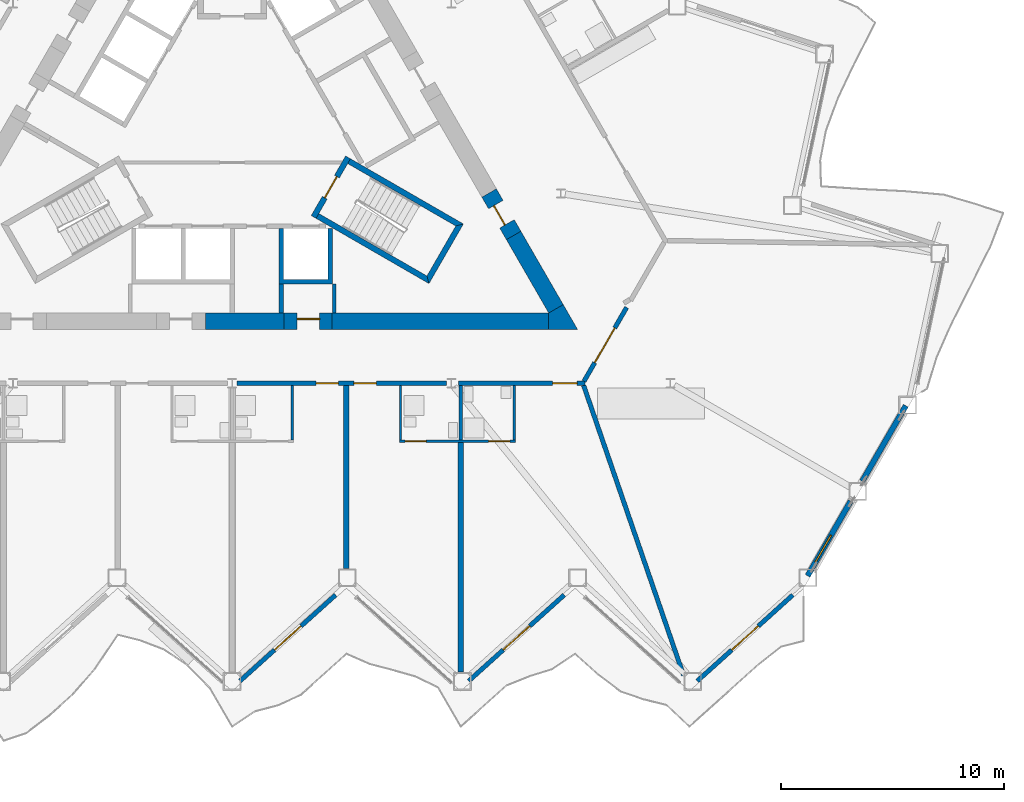
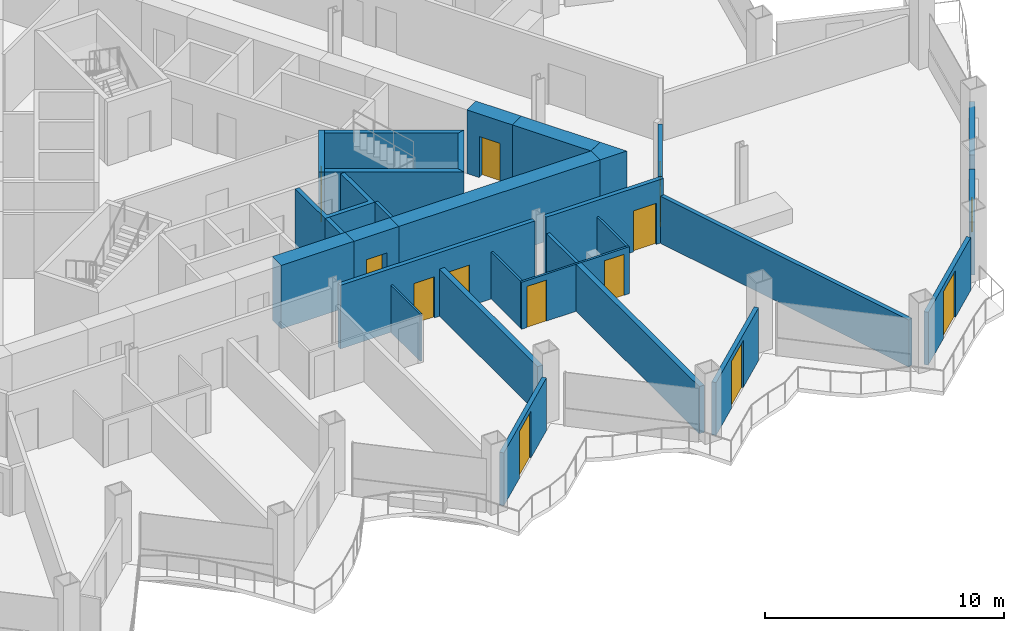
# One storey, part 12 of 23: 29 walls, 12 doors, 1 window, 13 openings.
"""IFC4 building model written with IfcOpenShell, lengths in metres."""

from ifc_helpers import new_model, si_unit, direction, frame, frame_2d, origin, place, context, subcontext, project, spatial, polyline, rectangle, outline, extrude, material, layer, layer_set, type_object, element, fill, save


model = new_model("IFC4")

# Units and contexts
model_context = context("Model", 3, precision=1e-05, world=origin(), true_north=direction((0.0, 1.0)))
body_context = subcontext(model_context, "Body", "Model", "MODEL_VIEW")
ifc_project = project(units=[si_unit("LENGTHUNIT", "METRE"), si_unit("AREAUNIT", "SQUARE_METRE"), si_unit("VOLUMEUNIT", "CUBIC_METRE"), si_unit("PLANEANGLEUNIT", "RADIAN"), si_unit("MASSUNIT", "GRAM", prefix="KILO")], contexts=[model_context])

# Site, building, storey
site_placement = place(None, origin())
site = spatial("IfcSite", under=ifc_project, at=site_placement, CompositionType="ELEMENT")
building_placement = place(site_placement, origin())
building = spatial("IfcBuilding", under=site, at=building_placement, Name="Cormorant Prow Tower", CompositionType="ELEMENT")
storey_placement = place(building_placement, frame((0.0, 0.0, 183.60009765625)))
storey = spatial("IfcBuildingStorey", under=building, at=storey_placement, Name="L39", CompositionType="ELEMENT", Elevation=183.60009765625)

# Walls
ifc_material_1 = material(Name="Gypsum board partition")
ifc_layer_1 = layer(ifc_material_1, 0.14990234375)
ifc_layer_set_1 = layer_set([ifc_layer_1], Name="Gypsum board partition")
wall_type_1 = type_object("IfcWallType", Name="Core partition 150", PredefinedType="PARTITIONING", material=ifc_layer_set_1)
wall_1_placement = place(storey_placement, frame((4.574951171875, -6.906005859375, 0.0), z_axis=(0.0, 0.0, 1.0), x_axis=(0.0, -1.0, 0.0)))
element("IfcWall", 1, at=wall_1_placement, inside=storey, type_object=wall_type_1, Name="Service room partition", PredefinedType="PARTITIONING", context=body_context, shape_type="SweptSolid", body=[
    extrude(rectangle(XDim=1.29296875, YDim=0.14990234375, at=frame_2d((0.646484375, 0.0))), origin(), (0.0, 0.0, 1.0), 3.25),
])
ifc_material_2 = material(Name="Concrete 8000 psi", Category="concrete")
ifc_layer_2 = layer(ifc_material_2, 0.75)
ifc_layer_set_2 = layer_set([ifc_layer_2], Name="Concrete 8000 psi")
wall_type_2 = type_object("IfcWallType", Name="Core shear wall 750", PredefinedType="SHEAR", material=ifc_layer_set_2)
wall_2_placement = place(storey_placement, frame((4.47998046875, -8.573974609375, 0.0), z_axis=(0.0, 0.0, 1.0), x_axis=(1.0, 0.0, 0.0)))
element("IfcWall", 2, at=wall_2_placement, inside=storey, type_object=wall_type_2, Name="Core wall", PredefinedType="SHEAR", context=body_context, shape_type="SweptSolid", body=[
    extrude(rectangle(XDim=9.720947265625, YDim=0.75, at=frame_2d((4.8603515625, 0.0))), origin(), (0.0, 0.0, 1.0), 3.25),
])
wall_3_placement = place(storey_placement, frame((-1.199951171875, -8.573974609375, 0.0), z_axis=(0.0, 0.0, 1.0), x_axis=(1.0, 0.0, 0.0)))
element("IfcWall", 3, at=wall_3_placement, inside=storey, type_object=wall_type_2, Name="Core wall", PredefinedType="SHEAR", context=body_context, shape_type="SweptSolid", body=[
    extrude(rectangle(XDim=3.52001953125, YDim=0.75, at=frame_2d((1.760009765625, 0.0))), origin(), (0.0, 0.0, 1.0), 3.25),
])
wall_4_placement = place(storey_placement, frame((14.525634765625, -8.011474609375, 0.0), z_axis=(0.0, 0.0, 1.0), x_axis=(-0.499996970966, 0.866027152591, 0.0)))
element("IfcWall", 4, at=wall_4_placement, inside=storey, type_object=wall_type_2, Name="Core wall", PredefinedType="SHEAR", context=body_context, shape_type="SweptSolid", body=[
    extrude(rectangle(XDim=3.7978515625, YDim=0.75, at=frame_2d((1.89892578125, 0.0))), origin(), (0.0, 0.0, 1.0), 3.25),
])
wall_5_placement = place(storey_placement, origin())
element("IfcWall", 5, at=wall_5_placement, inside=storey, type_object=wall_type_2, Name="Core wall corner", PredefinedType="SHEAR", context=body_context, shape_type="SweptSolid", body=[
    extrude(outline(polyline([(14.200927734375, -8.948974609375), (14.200927734375, -8.198974609375), (14.8505859375, -7.823974609375), (15.5, -8.948974609375), (14.200927734375, -8.948974609375)])), origin(), (0.0, 0.0, 1.0), 3.25),
])

# Wall, opening, door
wall_6_placement = place(storey_placement, frame((2.320068359375, -8.573974609375, 0.0), z_axis=(0.0, 0.0, 1.0), x_axis=(1.0, 0.0, 0.0)))
wall_6 = element("IfcWall", 6, at=wall_6_placement, inside=storey, type_object=wall_type_2, Name="Core wall door panel", PredefinedType="SHEAR", context=body_context, shape_type="SweptSolid", body=[
    extrude(rectangle(XDim=2.159912109375, YDim=0.75, at=frame_2d((1.080078125, 0.0))), origin(), (0.0, 0.0, 1.0), 3.25),
])
opening_1_placement = place(wall_6_placement, frame((0.60009765625, 0.0, 0.0)))
opening_1 = element("IfcOpeningElement", 7, at=opening_1_placement, cuts=wall_6, Name="Opening L39-C15", PredefinedType="OPENING", context=body_context, shape_type="SweptSolid", body=[
    extrude(rectangle(XDim=1.0, YDim=2.10009765625, at=frame_2d((0.5, 1.050048828125))), frame((0.0, 0.385009765625, 0.0), z_axis=(0.0, -1.0, 0.0), x_axis=(1.0, 0.0, 0.0)), (0.0, 0.0, 1.0), 0.77001953125),
])
ifc_material_3 = material(Name="Painted steel", Category="steel")
door_type_1 = type_object("IfcDoorType", Name="Service door 1000x2100", OperationType="NOTDEFINED", PredefinedType="DOOR", material=ifc_material_3)
door_1_placement = place(opening_1_placement, origin())
door_1 = element("IfcDoor", 8, at=door_1_placement, inside=storey, type_object=door_type_1, Name="Core door, Electrical room", OperationType="SINGLE_SWING_RIGHT", OverallHeight=2.10009765625, OverallWidth=1.0, PredefinedType="DOOR", context=body_context, shape_type="SweptSolid", body=[
    extrude(rectangle(XDim=1.0, YDim=2.10009765625, at=frame_2d((0.5, 1.050048828125))), frame((0.0, 0.1298828125, 0.0), z_axis=(0.0, -1.0, 0.0), x_axis=(1.0, 0.0, 0.0)), (0.0, 0.0, 1.0), 0.050048828125),
])
fill(opening_1, door_1)

wall_7_placement = place(storey_placement, frame((12.626708984375, -4.722412109375, 0.0), z_axis=(0.0, 0.0, 1.0), x_axis=(-0.499946605688, 0.86605622881, 0.0)))
wall_7 = element("IfcWall", 9, at=wall_7_placement, inside=storey, type_object=wall_type_2, Name="Core wall door panel", PredefinedType="SHEAR", context=body_context, shape_type="SweptSolid", body=[
    extrude(rectangle(XDim=2.199951171875, YDim=0.75, at=frame_2d((1.10009765625, 0.0))), origin(), (0.0, 0.0, 1.0), 3.25),
])
opening_2_placement = place(wall_7_placement, frame((0.60009765625, 0.0, 0.0)))
opening_2 = element("IfcOpeningElement", 10, at=opening_2_placement, cuts=wall_7, Name="Opening L39-C17", PredefinedType="OPENING", context=body_context, shape_type="SweptSolid", body=[
    extrude(rectangle(XDim=1.0, YDim=2.10009765625, at=frame_2d((0.5, 1.050048828125))), frame((0.0, 0.385009765625, 0.0), z_axis=(0.0, -1.0, 0.0), x_axis=(1.0, 0.0, 0.0)), (0.0, 0.0, 1.0), 0.77001953125),
])
door_2_placement = place(opening_2_placement, origin())
door_2 = element("IfcDoor", 11, at=door_2_placement, inside=storey, type_object=door_type_1, Name="Core door, Refuse store", OperationType="SINGLE_SWING_RIGHT", OverallHeight=2.10009765625, OverallWidth=1.0, PredefinedType="DOOR", context=body_context, shape_type="SweptSolid", body=[
    extrude(rectangle(XDim=1.0, YDim=2.10009765625, at=frame_2d((0.5, 1.050048828125))), frame((0.0, 0.1298828125, 0.0), z_axis=(0.0, -1.0, 0.0), x_axis=(1.0, 0.0, 0.0)), (0.0, 0.0, 1.0), 0.050048828125),
])
fill(opening_2, door_2)

# Wall, openings, doors
ifc_material_4 = material(Name="Gypsum board corridor wall")
ifc_layer_3 = layer(ifc_material_4, 0.199951171875)
ifc_layer_set_3 = layer_set([ifc_layer_3], Name="Gypsum board corridor wall")
wall_type_3 = type_object("IfcWallType", Name="Corridor wall 200", PredefinedType="PARTITIONING", material=ifc_layer_set_3)
wall_8_placement = place(storey_placement, frame((0.213623046875, -11.348876953125, 0.0), z_axis=(0.0, 0.0, 1.0), x_axis=(1.0, 0.0, 0.0)))
wall_8 = element("IfcWall", 12, at=wall_8_placement, inside=storey, type_object=wall_type_3, Name="Corridor wall", PredefinedType="PARTITIONING", context=body_context, shape_type="SweptSolid", body=[
    extrude(rectangle(XDim=9.401123046875, YDim=0.199951171875, at=frame_2d((4.70068359375, 0.0))), origin(), (0.0, 0.0, 1.0), 3.25),
])
opening_3_placement = place(wall_8_placement, frame((3.550537109375, 0.0, 0.0)))
opening_3 = element("IfcOpeningElement", 13, at=opening_3_placement, cuts=wall_8, Name="Opening L39-F07", PredefinedType="OPENING", context=body_context, shape_type="SweptSolid", body=[
    extrude(rectangle(XDim=1.0, YDim=2.10009765625, at=frame_2d((0.5, 1.050048828125))), frame((0.0, 0.10986328125, 0.0), z_axis=(0.0, -1.0, 0.0), x_axis=(1.0, 0.0, 0.0)), (0.0, 0.0, 1.0), 0.219970703125),
])
opening_4_placement = place(wall_8_placement, frame((5.250732421875, 0.0, 0.0)))
opening_4 = element("IfcOpeningElement", 14, at=opening_4_placement, cuts=wall_8, Name="Opening L39-F09", PredefinedType="OPENING", context=body_context, shape_type="SweptSolid", body=[
    extrude(rectangle(XDim=1.0, YDim=2.10009765625, at=frame_2d((0.5, 1.050048828125))), frame((0.0, 0.10986328125, 0.0), z_axis=(0.0, -1.0, 0.0), x_axis=(1.0, 0.0, 0.0)), (0.0, 0.0, 1.0), 0.219970703125),
])
ifc_material_5 = material(Name="Timber door leaf", Category="wood")
door_type_2 = type_object("IfcDoorType", Name="Flat or room entrance door 1000x2100", OperationType="NOTDEFINED", PredefinedType="DOOR", material=ifc_material_5)
door_3_placement = place(opening_3_placement, origin())
door_3 = element("IfcDoor", 15, at=door_3_placement, inside=storey, type_object=door_type_2, Name="Guest room door", OperationType="SINGLE_SWING_RIGHT", OverallHeight=2.10009765625, OverallWidth=1.0, PredefinedType="DOOR", context=body_context, shape_type="SweptSolid", body=[
    extrude(rectangle(XDim=1.0, YDim=2.10009765625, at=frame_2d((0.5, 1.050048828125))), frame((0.0, 0.02490234375, 0.0), z_axis=(0.0, -1.0, 0.0), x_axis=(1.0, 0.0, 0.0)), (0.0, 0.0, 1.0), 0.050048828125),
])
fill(opening_3, door_3)
door_4_placement = place(opening_4_placement, origin())
door_4 = element("IfcDoor", 16, at=door_4_placement, inside=storey, type_object=door_type_2, Name="Guest room door", OperationType="SINGLE_SWING_LEFT", OverallHeight=2.10009765625, OverallWidth=1.0, PredefinedType="DOOR", context=body_context, shape_type="SweptSolid", body=[
    extrude(rectangle(XDim=1.0, YDim=2.10009765625, at=frame_2d((0.5, 1.050048828125))), frame((0.0, 0.02490234375, 0.0), z_axis=(0.0, -1.0, 0.0), x_axis=(1.0, 0.0, 0.0)), (0.0, 0.0, 1.0), 0.050048828125),
])
fill(opening_4, door_4)

# Wall, opening, door
wall_9_placement = place(storey_placement, frame((10.144287109375, -11.348876953125, 0.0), z_axis=(0.0, 0.0, 1.0), x_axis=(1.0, 0.0, 0.0)))
wall_9 = element("IfcWall", 17, at=wall_9_placement, inside=storey, type_object=wall_type_3, Name="Corridor wall", PredefinedType="PARTITIONING", context=body_context, shape_type="SweptSolid", body=[
    extrude(rectangle(XDim=5.6865234375, YDim=0.199951171875, at=frame_2d((2.84326171875, 0.0))), origin(), (0.0, 0.0, 1.0), 3.25),
])
opening_5_placement = place(wall_9_placement, frame((4.234619140625, 0.0, 0.0)))
opening_5 = element("IfcOpeningElement", 18, at=opening_5_placement, cuts=wall_9, Name="Opening L39-F11", PredefinedType="OPENING", context=body_context, shape_type="SweptSolid", body=[
    extrude(rectangle(XDim=1.10009765625, YDim=2.10009765625, at=frame_2d((0.550048828125, 1.050048828125))), frame((0.0, 0.10986328125, 0.0), z_axis=(0.0, -1.0, 0.0), x_axis=(1.0, 0.0, 0.0)), (0.0, 0.0, 1.0), 0.219970703125),
])
ifc_material_6 = material(Name="Timber door leaf", Category="wood")
door_type_3 = type_object("IfcDoorType", Name="Suite entrance door 1100x2100", OperationType="NOTDEFINED", PredefinedType="DOOR", material=ifc_material_6)
door_5_placement = place(opening_5_placement, origin())
door_5 = element("IfcDoor", 19, at=door_5_placement, inside=storey, type_object=door_type_3, Name="Junior suite door", OperationType="SINGLE_SWING_RIGHT", OverallHeight=2.10009765625, OverallWidth=1.10009765625, PredefinedType="DOOR", context=body_context, shape_type="SweptSolid", body=[
    extrude(rectangle(XDim=1.10009765625, YDim=2.10009765625, at=frame_2d((0.550048828125, 1.050048828125))), frame((0.0, 0.02490234375, 0.0), z_axis=(0.0, -1.0, 0.0), x_axis=(1.0, 0.0, 0.0)), (0.0, 0.0, 1.0), 0.050048828125),
])
fill(opening_5, door_5)

wall_10_placement = place(storey_placement, frame((15.781005859375, -11.26220703125, 0.0), z_axis=(0.0, 0.0, 1.0), x_axis=(0.499989446428, 0.866031496806, 0.0)))
wall_10 = element("IfcWall", 20, at=wall_10_placement, inside=storey, type_object=wall_type_3, Name="Corridor wall", PredefinedType="PARTITIONING", context=body_context, shape_type="SweptSolid", body=[
    extrude(rectangle(XDim=3.82568359375, YDim=0.199951171875, at=frame_2d((1.912841796875, 0.0))), origin(), (0.0, 0.0, 1.0), 3.25),
])
opening_6_placement = place(wall_10_placement, frame((0.962158203125, 0.0, 0.0)))
opening_6 = element("IfcOpeningElement", 21, at=opening_6_placement, cuts=wall_10, Name="Opening L39-F13", PredefinedType="OPENING", context=body_context, shape_type="SweptSolid", body=[
    extrude(rectangle(XDim=1.800048828125, YDim=2.10009765625, at=frame_2d((0.89990234375, 1.050048828125))), frame((0.0, 0.10986328125, 0.0), z_axis=(0.0, -1.0, 0.0), x_axis=(1.0, 0.0, 0.0)), (0.0, 0.0, 1.0), 0.219970703125),
])
ifc_material_7 = material(Name="Timber door leaf", Category="wood")
door_type_4 = type_object("IfcDoorType", Name="Double door 1800x2100", OperationType="DOUBLE_DOOR_SINGLE_SWING", PredefinedType="DOOR", material=ifc_material_7)
door_6_placement = place(opening_6_placement, origin())
door_6 = element("IfcDoor", 22, at=door_6_placement, inside=storey, type_object=door_type_4, Name="Co-working space door", OperationType="DOUBLE_DOOR_SINGLE_SWING", OverallHeight=2.10009765625, OverallWidth=1.800048828125, PredefinedType="DOOR", context=body_context, shape_type="SweptSolid", body=[
    extrude(rectangle(XDim=1.800048828125, YDim=2.10009765625, at=frame_2d((0.89990234375, 1.050048828125))), frame((0.0, 0.02490234375, 0.0), z_axis=(0.0, -1.0, 0.0), x_axis=(1.0, 0.0, 0.0)), (0.0, 0.0, 1.0), 0.050048828125),
])
fill(opening_6, door_6)

# Wall
ifc_material_8 = material(Name="Gypsum board demising wall")
ifc_layer_4 = layer(ifc_material_8, 0.199951171875)
ifc_layer_set_4 = layer_set([ifc_layer_4], Name="Gypsum board demising wall")
wall_type_4 = type_object("IfcWallType", Name="Demising wall 200", PredefinedType="PARTITIONING", material=ifc_layer_set_4)
wall_11_placement = place(storey_placement, frame((15.763427734375, -11.443603515625, 0.0), z_axis=(0.0, 0.0, 1.0), x_axis=(0.325902118519, -0.945403516571, 0.0)))
element("IfcWall", 23, at=wall_11_placement, inside=storey, type_object=wall_type_4, Name="Demising wall", PredefinedType="PARTITIONING", context=body_context, shape_type="SweptSolid", body=[
    extrude(rectangle(XDim=13.762939453125, YDim=0.199951171875, at=frame_2d((6.88134765625, 0.0))), origin(), (0.0, 0.0, 1.0), 2.404052734375),
])

# Wall, openings, doors
ifc_material_9 = material(Name="Gypsum board partition")
ifc_layer_5 = layer(ifc_material_9, 0.10009765625)
ifc_layer_set_5 = layer_set([ifc_layer_5], Name="Gypsum board partition")
wall_type_5 = type_object("IfcWallType", Name="Internal partition 100", PredefinedType="PARTITIONING", material=ifc_layer_set_5)
wall_12_placement = place(storey_placement, frame((7.504150390625, -13.948974609375, 0.0), z_axis=(0.0, 0.0, 1.0), x_axis=(1.0, 0.0, 0.0)))
wall_12 = element("IfcWall", 24, at=wall_12_placement, inside=storey, type_object=wall_type_5, Name="Internal partition", PredefinedType="PARTITIONING", context=body_context, shape_type="SweptSolid", body=[
    extrude(rectangle(XDim=5.199951171875, YDim=0.10009765625, at=frame_2d((2.60009765625, 0.0))), origin(), (0.0, 0.0, 1.0), 2.404052734375),
])
opening_7_placement = place(wall_12_placement, frame((0.25, 0.0, 0.0)))
opening_7 = element("IfcOpeningElement", 25, at=opening_7_placement, cuts=wall_12, Name="Opening L39-F10", PredefinedType="OPENING", context=body_context, shape_type="SweptSolid", body=[
    extrude(rectangle(XDim=0.949951171875, YDim=2.10009765625, at=frame_2d((0.47509765625, 1.050048828125))), frame((0.0, 0.06005859375, 0.0), z_axis=(0.0, -1.0, 0.0), x_axis=(1.0, 0.0, 0.0)), (0.0, 0.0, 1.0), 0.1201171875),
])
opening_8_placement = place(wall_12_placement, frame((4.0, 0.0, 0.0)))
opening_8 = element("IfcOpeningElement", 26, at=opening_8_placement, cuts=wall_12, Name="Opening L39-F12", PredefinedType="OPENING", context=body_context, shape_type="SweptSolid", body=[
    extrude(rectangle(XDim=0.949951171875, YDim=2.10009765625, at=frame_2d((0.47509765625, 1.050048828125))), frame((0.0, 0.06005859375, 0.0), z_axis=(0.0, -1.0, 0.0), x_axis=(1.0, 0.0, 0.0)), (0.0, 0.0, 1.0), 0.1201171875),
])
ifc_material_10 = material(Name="Timber door leaf", Category="wood")
door_type_5 = type_object("IfcDoorType", Name="Bathroom door 950x2100", OperationType="NOTDEFINED", PredefinedType="DOOR", material=ifc_material_10)
door_7_placement = place(opening_7_placement, origin())
door_7 = element("IfcDoor", 27, at=door_7_placement, inside=storey, type_object=door_type_5, Name="Guest room door", OperationType="SINGLE_SWING_LEFT", OverallHeight=2.10009765625, OverallWidth=0.949951171875, PredefinedType="DOOR", context=body_context, shape_type="SweptSolid", body=[
    extrude(rectangle(XDim=0.949951171875, YDim=2.10009765625, at=frame_2d((0.47509765625, 1.050048828125))), frame((0.0, 0.02490234375, 0.0), z_axis=(0.0, -1.0, 0.0), x_axis=(1.0, 0.0, 0.0)), (0.0, 0.0, 1.0), 0.050048828125),
])
fill(opening_7, door_7)
door_8_placement = place(opening_8_placement, origin())
door_8 = element("IfcDoor", 28, at=door_8_placement, inside=storey, type_object=door_type_5, Name="Junior suite door", OperationType="SINGLE_SWING_RIGHT", OverallHeight=2.10009765625, OverallWidth=0.949951171875, PredefinedType="DOOR", context=body_context, shape_type="SweptSolid", body=[
    extrude(rectangle(XDim=0.949951171875, YDim=2.10009765625, at=frame_2d((0.47509765625, 1.050048828125))), frame((0.0, 0.02490234375, 0.0), z_axis=(0.0, -1.0, 0.0), x_axis=(1.0, 0.0, 0.0)), (0.0, 0.0, 1.0), 0.050048828125),
])
fill(opening_8, door_8)

# Walls
for number, where, z_axis, x_axis, name in (
    (29, (2.699951171875, -13.89892578125, 0.0), (0.0, 0.0, 1.0), (0.0, 1.0, 0.0), "Internal partition"),
    (30, (7.55419921875, -13.89892578125, 0.0), (0.0, 0.0, 1.0), (0.0, 1.0, 0.0), "Internal partition"),
    (31, (12.654296875, -13.89892578125, 0.0), (0.0, 0.0, 1.0), (0.0, 1.0, 0.0), "Internal partition"),
):
    element("IfcWall", number, at=place(storey_placement, frame(where, z_axis=z_axis, x_axis=x_axis)), inside=storey, type_object=wall_type_5, Name=name, PredefinedType="PARTITIONING", context=body_context, shape_type="SweptSolid", body=[
        extrude(rectangle(XDim=2.449951171875, YDim=0.10009765625, at=frame_2d((1.22509765625, 0.0))), origin(), (0.0, 0.0, 1.0), 2.404052734375),
    ])
ifc_material_11 = material(Name="Concrete 8000 psi", Category="concrete")
ifc_layer_6 = layer(ifc_material_11, 0.199951171875)
ifc_layer_set_6 = layer_set([ifc_layer_6], Name="Concrete 8000 psi")
wall_type_6 = type_object("IfcWallType", Name="Lift shaft wall 200", PredefinedType="SHEAR", material=ifc_layer_set_6)
wall_13_placement = place(storey_placement, origin())
element("IfcWall", 32, at=wall_13_placement, inside=storey, type_object=wall_type_6, Name="Lift shaft walls, S block", PredefinedType="SHEAR", context=body_context, shape_type="SweptSolid", body=[
    extrude(outline(polyline([(4.5, -4.39990234375), (4.5, -6.906005859375), (2.10009765625, -6.906005859375), (2.10009765625, -4.39990234375), (2.300048828125, -4.39990234375), (2.300048828125, -6.699951171875), (4.300048828125, -6.699951171875), (4.300048828125, -4.39990234375), (4.5, -4.39990234375)])), origin(), (0.0, 0.0, 1.0), 3.25),
])
wall_14_placement = place(storey_placement, frame((2.199951171875, -6.906005859375, 0.0), z_axis=(0.0, 0.0, 1.0), x_axis=(0.0, -1.0, 0.0)))
element("IfcWall", 33, at=wall_14_placement, inside=storey, type_object=wall_type_6, Name="Store side wall", PredefinedType="SHEAR", context=body_context, shape_type="SweptSolid", body=[
    extrude(rectangle(XDim=1.29296875, YDim=0.199951171875, at=frame_2d((0.646484375, 0.0))), origin(), (0.0, 0.0, 1.0), 3.25),
])
ifc_material_12 = material(Name="Concrete 8000 psi", Category="concrete")
ifc_layer_7 = layer(ifc_material_12, 0.25)
ifc_layer_set_7 = layer_set([ifc_layer_7], Name="Concrete 8000 psi")
wall_type_7 = type_object("IfcWallType", Name="Stair wall 250", PredefinedType="SHEAR", material=ifc_layer_set_7)
wall_15_placement = place(storey_placement, origin())
element("IfcWall", 34, at=wall_15_placement, inside=storey, type_object=wall_type_7, Name="Stair ST2 enclosure wall (flank)", PredefinedType="SHEAR", context=body_context, shape_type="SweptSolid", body=[
    extrude(outline(polyline([(3.76318359375, -3.95556640625), (8.82958984375, -6.880615234375), (8.738037109375, -6.5390625), (3.88818359375, -3.739013671875), (3.76318359375, -3.95556640625)])), origin(), (0.0, 0.0, 1.0), 3.25),
])
wall_16_placement = place(storey_placement, origin())
element("IfcWall", 35, at=wall_16_placement, inside=storey, type_object=wall_type_7, Name="Stair ST2 enclosure wall (end)", PredefinedType="SHEAR", context=body_context, shape_type="SweptSolid", body=[
    extrude(outline(polyline([(8.82958984375, -6.880615234375), (10.37353515625, -4.206298828125), (10.031982421875, -4.2978515625), (8.738037109375, -6.5390625), (8.82958984375, -6.880615234375)])), origin(), (0.0, 0.0, 1.0), 3.25),
])
wall_17_placement = place(storey_placement, origin())
element("IfcWall", 36, at=wall_17_placement, inside=storey, type_object=wall_type_7, Name="Stair ST2 enclosure wall (flank)", PredefinedType="SHEAR", context=body_context, shape_type="SweptSolid", body=[
    extrude(outline(polyline([(10.031982421875, -4.2978515625), (10.37353515625, -4.206298828125), (5.30712890625, -1.28125), (5.18212890625, -1.497802734375), (10.031982421875, -4.2978515625)])), origin(), (0.0, 0.0, 1.0), 3.25),
])

# Wall, opening, door
wall_18_placement = place(storey_placement, frame((3.655029296875, -3.89306640625, 0.0), z_axis=(0.0, 0.0, 1.0), x_axis=(0.499982516597, 0.866035497597, 0.0)))
wall_18 = element("IfcWall", 37, at=wall_18_placement, inside=storey, type_object=wall_type_7, Name="Stair ST2 door wall", PredefinedType="SHEAR", context=body_context, shape_type="SweptSolid", body=[
    extrude(rectangle(XDim=3.087890625, YDim=0.25, at=frame_2d((1.5439453125, 0.0))), origin(), (0.0, 0.0, 1.0), 3.25),
])
opening_9_placement = place(wall_18_placement, frame((0.993896484375, 0.0, 0.0)))
opening_9 = element("IfcOpeningElement", 38, at=opening_9_placement, cuts=wall_18, Name="Opening L39-C12", PredefinedType="OPENING", context=body_context, shape_type="SweptSolid", body=[
    extrude(rectangle(XDim=1.10009765625, YDim=2.10009765625, at=frame_2d((0.550048828125, 1.050048828125))), frame((0.0, 0.135009765625, 0.0), z_axis=(0.0, -1.0, 0.0), x_axis=(1.0, 0.0, 0.0)), (0.0, 0.0, 1.0), 0.27001953125),
])
ifc_material_13 = material(Name="Painted steel", Category="steel")
door_type_6 = type_object("IfcDoorType", Name="Stair door 1100x2100", OperationType="NOTDEFINED", PredefinedType="DOOR", material=ifc_material_13)
door_9_placement = place(opening_9_placement, origin())
door_9 = element("IfcDoor", 39, at=door_9_placement, inside=storey, type_object=door_type_6, Name="Stair ST2 door", OperationType="SINGLE_SWING_RIGHT", OverallHeight=2.10009765625, OverallWidth=1.10009765625, PredefinedType="DOOR", context=body_context, shape_type="SweptSolid", body=[
    extrude(rectangle(XDim=1.10009765625, YDim=2.10009765625, at=frame_2d((0.550048828125, 1.050048828125))), frame((0.0, 0.02490234375, 0.0), z_axis=(0.0, -1.0, 0.0), x_axis=(1.0, 0.0, 0.0)), (0.0, 0.0, 1.0), 0.050048828125),
])
fill(opening_9, door_9)

# Walls
ifc_material_14 = material(Name="Acoustic gypsum party wall")
ifc_layer_8 = layer(ifc_material_14, 0.25)
ifc_layer_set_8 = layer_set([ifc_layer_8], Name="Acoustic gypsum party wall")
wall_type_8 = type_object("IfcWallType", Name="Suite party wall 250", PredefinedType="PARTITIONING", material=ifc_layer_set_8)
wall_19_placement = place(storey_placement, frame((10.254150390625, -24.3115234375, 0.0), z_axis=(0.0, 0.0, 1.0), x_axis=(0.0, 1.0, 0.0)))
element("IfcWall", 40, at=wall_19_placement, inside=storey, type_object=wall_type_8, Name="Suite party wall", PredefinedType="PARTITIONING", context=body_context, shape_type="SweptSolid", body=[
    extrude(rectangle(XDim=10.312744140625, YDim=0.25, at=frame_2d((5.15625, 0.0))), origin(), (0.0, 0.0, 1.0), 2.404052734375),
])
wall_20_placement = place(storey_placement, frame((5.127197265625, -19.661376953125, 0.0), z_axis=(0.0, 0.0, 1.0), x_axis=(0.0, 1.0, 0.0)))
element("IfcWall", 41, at=wall_20_placement, inside=storey, type_object=wall_type_8, Name="Suite party wall", PredefinedType="PARTITIONING", context=body_context, shape_type="SweptSolid", body=[
    extrude(rectangle(XDim=8.21240234375, YDim=0.25, at=frame_2d((4.106201171875, 0.0))), origin(), (0.0, 0.0, 1.0), 2.404052734375),
])

# Wall, opening, window
ifc_material_15 = material(Name="Terracotta", Category="masonry")
ifc_layer_9 = layer(ifc_material_15, 0.25)
ifc_layer_set_9 = layer_set([ifc_layer_9], Name="Terracotta")
wall_type_9 = type_object("IfcWallType", Name="Terracotta bay wall 250", PredefinedType="SOLIDWALL", material=ifc_layer_set_9)
wall_21_placement = place(storey_placement, frame((25.811279296875, -19.9873046875, 0.0), z_axis=(0.0, 0.0, 1.0), x_axis=(0.499981047344, 0.866036345829, 0.0)))
wall_21 = element("IfcWall", 42, at=wall_21_placement, inside=storey, type_object=wall_type_9, Name="Terracotta bay wall ESE00", PredefinedType="SOLIDWALL", context=body_context, shape_type="SweptSolid", body=[
    extrude(rectangle(XDim=3.868408203125, YDim=0.25, at=frame_2d((1.93408203125, 0.0))), origin(), (0.0, 0.0, 1.0), 2.70068359375),
])
opening_10_placement = place(wall_21_placement, frame((0.699951171875, 0.0, 1.699951171875)))
opening_10 = element("IfcOpeningElement", 43, at=opening_10_placement, cuts=wall_21, Name="Opening WN3", PredefinedType="OPENING", context=body_context, shape_type="SweptSolid", body=[
    extrude(rectangle(XDim=1.39990234375, YDim=0.800048828125, at=frame_2d((0.699951171875, 0.39990234375))), frame((0.0, 0.135009765625, 0.0), z_axis=(0.0, -1.0, 0.0), x_axis=(1.0, 0.0, 0.0)), (0.0, 0.0, 1.0), 0.27001953125),
])
ifc_material_16 = material(Name="Aluminium 6063-T6", Category="aluminium")
window_type = type_object("IfcWindowType", Name="Corner bay window 1400x800", PartitioningType="SINGLE_PANEL", PredefinedType="WINDOW", material=ifc_material_16)
window_placement = place(opening_10_placement, origin())
window = element("IfcWindow", 44, at=window_placement, inside=storey, type_object=window_type, Name="Corner bay window ESE00", OverallHeight=0.800048828125, OverallWidth=1.39990234375, PartitioningType="SINGLE_PANEL", PredefinedType="WINDOW", context=body_context, shape_type="SweptSolid", body=[
    extrude(rectangle(XDim=1.39990234375, YDim=0.800048828125, at=frame_2d((0.699951171875, 0.39990234375))), frame((0.0, 0.030029296875, 0.0), z_axis=(0.0, -1.0, 0.0), x_axis=(1.0, 0.0, 0.0)), (0.0, 0.0, 1.0), 0.06005859375),
])
fill(opening_10, window)

# Wall
wall_22_placement = place(storey_placement, frame((28.2578125, -15.749755859375, 0.0), z_axis=(0.0, 0.0, 1.0), x_axis=(0.499995984904, 0.866027721889, 0.0)))
element("IfcWall", 45, at=wall_22_placement, inside=storey, type_object=wall_type_9, Name="Terracotta bay wall ESE01", PredefinedType="SOLIDWALL", context=body_context, shape_type="SweptSolid", body=[
    extrude(rectangle(XDim=3.91455078125, YDim=0.25, at=frame_2d((1.957275390625, 0.0))), origin(), (0.0, 0.0, 1.0), 2.70068359375),
])

# Wall, opening, door
ifc_material_17 = material(Name="Terracotta", Category="masonry")
ifc_layer_10 = layer(ifc_material_17, 0.199951171875)
ifc_layer_set_10 = layer_set([ifc_layer_10], Name="Terracotta")
wall_type_10 = type_object("IfcWallType", Name="Terracotta jamb wall 200", PredefinedType="SOLIDWALL", material=ifc_layer_set_10)
wall_23_placement = place(storey_placement, frame((0.355224609375, -24.703857421875, 0.0), z_axis=(0.0, 0.0, 1.0), x_axis=(0.743140362926, 0.669135562491, 0.0)))
wall_23 = element("IfcWall", 46, at=wall_23_placement, inside=storey, type_object=wall_type_10, Name="Terracotta jamb wall S05", PredefinedType="SOLIDWALL", context=body_context, shape_type="SweptSolid", body=[
    extrude(rectangle(XDim=5.763427734375, YDim=0.199951171875, at=frame_2d((2.8818359375, 0.0))), origin(), (0.0, 0.0, 1.0), 2.70068359375),
])
opening_11_placement = place(wall_23_placement, frame((2.08154296875, 0.0, 0.0)))
opening_11 = element("IfcOpeningElement", 47, at=opening_11_placement, cuts=wall_23, Name="Opening ED39.03", PredefinedType="OPENING", context=body_context, shape_type="SweptSolid", body=[
    extrude(rectangle(XDim=1.60009765625, YDim=2.39990234375, at=frame_2d((0.800048828125, 1.199951171875))), frame((0.0, 0.10986328125, 0.0), z_axis=(0.0, -1.0, 0.0), x_axis=(1.0, 0.0, 0.0)), (0.0, 0.0, 1.0), 0.219970703125),
])
ifc_material_18 = material(Name="Aluminium 6063-T6", Category="aluminium")
door_type_7 = type_object("IfcDoorType", Name="Balcony door 1600x2400", OperationType="DOUBLE_DOOR_SINGLE_SWING", PredefinedType="DOOR", material=ifc_material_18)
door_10_placement = place(opening_11_placement, origin())
door_10 = element("IfcDoor", 48, at=door_10_placement, inside=storey, type_object=door_type_7, Name="Balcony door S05 ED39.03", OperationType="DOUBLE_DOOR_SINGLE_SWING", OverallHeight=2.39990234375, OverallWidth=1.60009765625, PredefinedType="DOOR", context=body_context, shape_type="SweptSolid", body=[
    extrude(rectangle(XDim=1.60009765625, YDim=2.39990234375, at=frame_2d((0.800048828125, 1.199951171875))), frame((0.0, 0.02490234375, 0.0), z_axis=(0.0, -1.0, 0.0), x_axis=(1.0, 0.0, 0.0)), (0.0, 0.0, 1.0), 0.050048828125),
])
fill(opening_11, door_10)

wall_24_placement = place(storey_placement, frame((10.609375, -24.703857421875, 0.0), z_axis=(0.0, 0.0, 1.0), x_axis=(0.743140362926, 0.669135562491, 0.0)))
wall_24 = element("IfcWall", 49, at=wall_24_placement, inside=storey, type_object=wall_type_10, Name="Terracotta jamb wall S07", PredefinedType="SOLIDWALL", context=body_context, shape_type="SweptSolid", body=[
    extrude(rectangle(XDim=5.763427734375, YDim=0.199951171875, at=frame_2d((2.8818359375, 0.0))), origin(), (0.0, 0.0, 1.0), 2.70068359375),
])
opening_12_placement = place(wall_24_placement, frame((2.08154296875, 0.0, 0.0)))
opening_12 = element("IfcOpeningElement", 50, at=opening_12_placement, cuts=wall_24, Name="Opening ED39.04", PredefinedType="OPENING", context=body_context, shape_type="SweptSolid", body=[
    extrude(rectangle(XDim=1.60009765625, YDim=2.39990234375, at=frame_2d((0.800048828125, 1.199951171875))), frame((0.0, 0.10986328125, 0.0), z_axis=(0.0, -1.0, 0.0), x_axis=(1.0, 0.0, 0.0)), (0.0, 0.0, 1.0), 0.219970703125),
])
door_11_placement = place(opening_12_placement, origin())
door_11 = element("IfcDoor", 51, at=door_11_placement, inside=storey, type_object=door_type_7, Name="Balcony door S07 ED39.04", OperationType="DOUBLE_DOOR_SINGLE_SWING", OverallHeight=2.39990234375, OverallWidth=1.60009765625, PredefinedType="DOOR", context=body_context, shape_type="SweptSolid", body=[
    extrude(rectangle(XDim=1.60009765625, YDim=2.39990234375, at=frame_2d((0.800048828125, 1.199951171875))), frame((0.0, 0.02490234375, 0.0), z_axis=(0.0, -1.0, 0.0), x_axis=(1.0, 0.0, 0.0)), (0.0, 0.0, 1.0), 0.050048828125),
])
fill(opening_12, door_11)

wall_25_placement = place(storey_placement, frame((20.863525390625, -24.703857421875, 0.0), z_axis=(0.0, 0.0, 1.0), x_axis=(0.743140362926, 0.669135562491, 0.0)))
wall_25 = element("IfcWall", 52, at=wall_25_placement, inside=storey, type_object=wall_type_10, Name="Terracotta jamb wall S09", PredefinedType="SOLIDWALL", context=body_context, shape_type="SweptSolid", body=[
    extrude(rectangle(XDim=5.763427734375, YDim=0.199951171875, at=frame_2d((2.8818359375, 0.0))), origin(), (0.0, 0.0, 1.0), 2.70068359375),
])
opening_13_placement = place(wall_25_placement, frame((2.08154296875, 0.0, 0.0)))
opening_13 = element("IfcOpeningElement", 53, at=opening_13_placement, cuts=wall_25, Name="Opening ED39.05", PredefinedType="OPENING", context=body_context, shape_type="SweptSolid", body=[
    extrude(rectangle(XDim=1.60009765625, YDim=2.39990234375, at=frame_2d((0.800048828125, 1.199951171875))), frame((0.0, 0.10986328125, 0.0), z_axis=(0.0, -1.0, 0.0), x_axis=(1.0, 0.0, 0.0)), (0.0, 0.0, 1.0), 0.219970703125),
])
door_12_placement = place(opening_13_placement, origin())
door_12 = element("IfcDoor", 54, at=door_12_placement, inside=storey, type_object=door_type_7, Name="Balcony door S09 ED39.05", OperationType="DOUBLE_DOOR_SINGLE_SWING", OverallHeight=2.39990234375, OverallWidth=1.60009765625, PredefinedType="DOOR", context=body_context, shape_type="SweptSolid", body=[
    extrude(rectangle(XDim=1.60009765625, YDim=2.39990234375, at=frame_2d((0.800048828125, 1.199951171875))), frame((0.0, 0.02490234375, 0.0), z_axis=(0.0, -1.0, 0.0), x_axis=(1.0, 0.0, 0.0)), (0.0, 0.0, 1.0), 0.050048828125),
])
fill(opening_13, door_12)

# Wall
ifc_material_19 = material(Name="Plasterboard wet wall with pipe chase")
ifc_layer_11 = layer(ifc_material_19, 0.14990234375)
ifc_layer_set_11 = layer_set([ifc_layer_11], Name="Plasterboard wet wall with pipe chase")
wall_type_11 = type_object("IfcWallType", Name="Wet wall 150", PredefinedType="PLUMBINGWALL", material=ifc_layer_set_11)
wall_26_placement = place(storey_placement, frame((10.254150390625, -13.89892578125, 0.0), z_axis=(0.0, 0.0, 1.0), x_axis=(0.0, 1.0, 0.0)))
element("IfcWall", 55, at=wall_26_placement, inside=storey, type_object=wall_type_11, Name="Wet wall", PredefinedType="PLUMBINGWALL", context=body_context, shape_type="SweptSolid", body=[
    extrude(rectangle(XDim=2.449951171875, YDim=0.14990234375, at=frame_2d((1.22509765625, 0.0))), origin(), (0.0, 0.0, 1.0), 2.404052734375),
])

save(model, "model.ifc")
